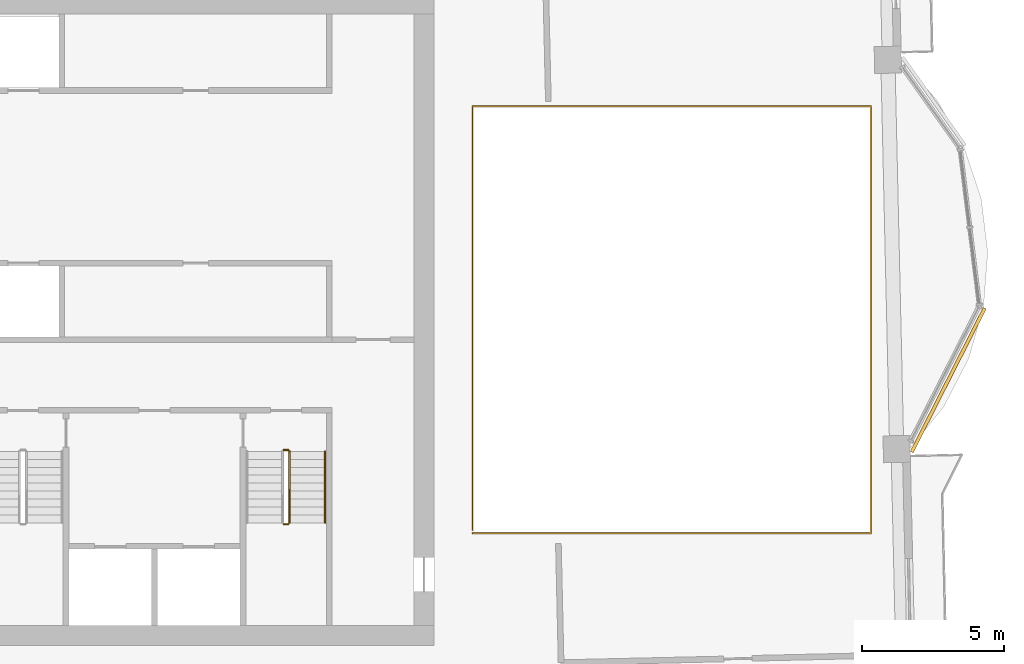
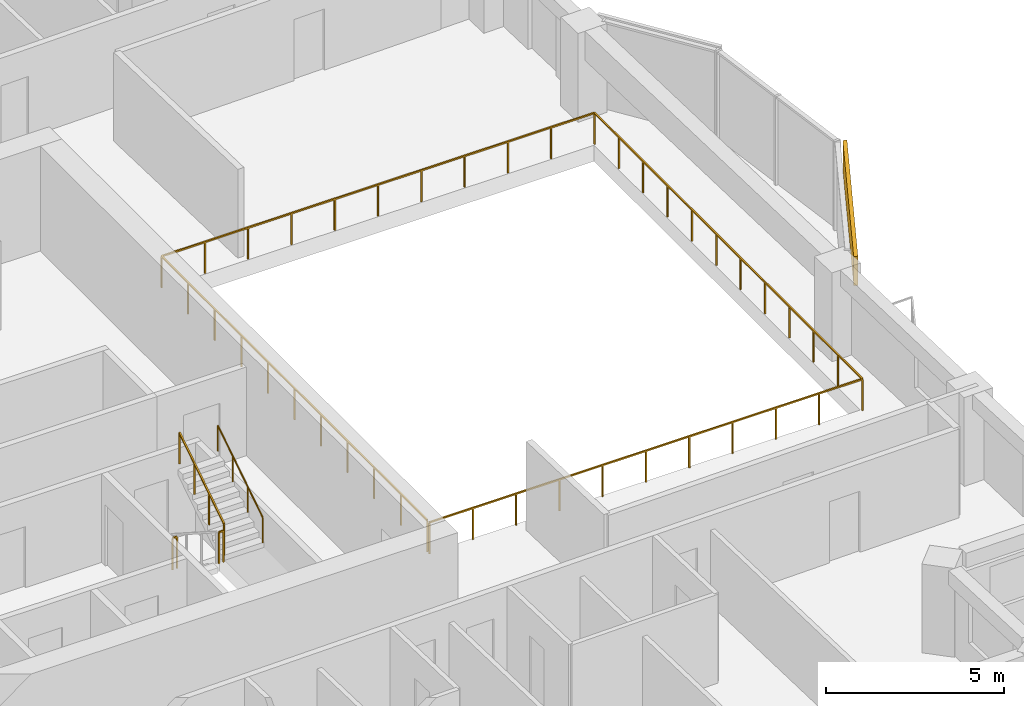
# One storey, part 19 of 20: 5 railings, 1 covering.
"""IFC4 building model written with IfcOpenShell, lengths in metres."""

from ifc_helpers import new_model, si_unit, direction, frame, frame_2d, origin, origin_2d, place, context, subcontext, project, spatial, rectangle, circle, extrude, material, layer, layer_set, type_object, element, save


model = new_model("IFC4")

# Units and contexts
model_context = context("Model", 3, precision=1e-05, world=origin(), true_north=direction((0.0, 1.0)))
body_context = subcontext(model_context, "Body", "Model", "MODEL_VIEW")
ifc_project = project(units=[si_unit("LENGTHUNIT", "METRE"), si_unit("AREAUNIT", "SQUARE_METRE"), si_unit("VOLUMEUNIT", "CUBIC_METRE"), si_unit("PLANEANGLEUNIT", "RADIAN"), si_unit("MASSUNIT", "GRAM", prefix="KILO")], contexts=[model_context])

# Site, building, storey
site_placement = place(None, origin())
site = spatial("IfcSite", under=ifc_project, at=site_placement, CompositionType="ELEMENT")
building_placement = place(site_placement, origin())
building = spatial("IfcBuilding", under=site, at=building_placement, Name="Mangrove Gate Tower", CompositionType="ELEMENT")
storey_placement = place(building_placement, frame((0.0, 0.0, 279.89990234375)))
storey = spatial("IfcBuildingStorey", under=building, at=storey_placement, Name="L71", CompositionType="ELEMENT", Elevation=279.89990234375)

# Railings
ifc_material_1 = material(Name="Stainless steel grade 316 with laminated glass infill", Category="steel")
railing_type_1 = type_object("IfcRailingType", Name="Balcony guard 1100", PredefinedType="GUARDRAIL", material=ifc_material_1)
railing_1_placement = place(storey_placement, frame((15.860107421875, -7.5400390625, 0.0)))
element("IfcRailing", 1, at=railing_1_placement, inside=storey, type_object=railing_type_1, Name="GUARD L71 atrium", PredefinedType="GUARDRAIL", context=body_context, shape_type="SweptSolid", body=[
    extrude(rectangle(XDim=0.048095703125, YDim=0.048095703125, at=origin_2d()), frame((0.0, 0.0, 1.076171875), z_axis=(1.0, 0.0, 0.0), x_axis=(0.0, 1.0, 0.0)), (0.0, 0.0, 1.0), 14.06982421875),
    extrude(rectangle(XDim=0.048095703125, YDim=0.048095703125, at=origin_2d()), frame((14.06982421875, 0.0, 1.076171875), z_axis=(0.0, 1.0, 0.0), x_axis=(-1.0, 0.0, 0.0)), (0.0, 0.0, 1.0), 15.080078125),
    extrude(rectangle(XDim=0.048095703125, YDim=0.048095703125, at=origin_2d()), frame((14.06982421875, 15.080078125, 1.076171875), z_axis=(-1.0, 0.0, 0.0), x_axis=(0.0, -1.0, 0.0)), (0.0, 0.0, 1.0), 14.06982421875),
    extrude(rectangle(XDim=0.048095703125, YDim=0.048095703125, at=origin_2d()), frame((0.0, 15.080078125, 1.076171875), z_axis=(0.0, -1.0, 0.0), x_axis=(1.0, 0.0, 0.0)), (0.0, 0.0, 1.0), 14.9599609375),
    extrude(rectangle(XDim=0.0419921875, YDim=0.0419921875, at=origin_2d()), origin(), (0.0, 0.0, 1.0), 1.052001953125),
    extrude(rectangle(XDim=0.0419921875, YDim=0.0419921875, at=origin_2d()), frame((1.406982421875, 0.0, 0.0)), (0.0, 0.0, 1.0), 1.052001953125),
    extrude(rectangle(XDim=0.0419921875, YDim=0.0419921875, at=origin_2d()), frame((2.81396484375, 0.0, 0.0)), (0.0, 0.0, 1.0), 1.052001953125),
    extrude(rectangle(XDim=0.0419921875, YDim=0.0419921875, at=origin_2d()), frame((4.220947265625, 0.0, 0.0)), (0.0, 0.0, 1.0), 1.052001953125),
    extrude(rectangle(XDim=0.0419921875, YDim=0.0419921875, at=origin_2d()), frame((5.6279296875, 0.0, 0.0)), (0.0, 0.0, 1.0), 1.052001953125),
    extrude(rectangle(XDim=0.0419921875, YDim=0.0419921875, at=origin_2d()), frame((7.034912109375, 0.0, 0.0)), (0.0, 0.0, 1.0), 1.052001953125),
    extrude(rectangle(XDim=0.0419921875, YDim=0.0419921875, at=origin_2d()), frame((8.44189453125, 0.0, 0.0)), (0.0, 0.0, 1.0), 1.052001953125),
    extrude(rectangle(XDim=0.0419921875, YDim=0.0419921875, at=origin_2d()), frame((9.848876953125, 0.0, 0.0)), (0.0, 0.0, 1.0), 1.052001953125),
    extrude(rectangle(XDim=0.0419921875, YDim=0.0419921875, at=origin_2d()), frame((11.255859375, 0.0, 0.0)), (0.0, 0.0, 1.0), 1.052001953125),
    extrude(rectangle(XDim=0.0419921875, YDim=0.0419921875, at=origin_2d()), frame((12.662841796875, 0.0, 0.0)), (0.0, 0.0, 1.0), 1.052001953125),
    extrude(rectangle(XDim=0.0419921875, YDim=0.0419921875, at=origin_2d()), frame((14.06982421875, 0.0, 0.0)), (0.0, 0.0, 1.0), 1.052001953125),
    extrude(rectangle(XDim=0.0419921875, YDim=0.0419921875, at=origin_2d()), frame((14.06982421875, 1.370849609375, 0.0)), (0.0, 0.0, 1.0), 1.052001953125),
    extrude(rectangle(XDim=0.0419921875, YDim=0.0419921875, at=origin_2d()), frame((14.06982421875, 2.741943359375, 0.0)), (0.0, 0.0, 1.0), 1.052001953125),
    extrude(rectangle(XDim=0.0419921875, YDim=0.0419921875, at=origin_2d()), frame((14.06982421875, 4.11279296875, 0.0)), (0.0, 0.0, 1.0), 1.052001953125),
    extrude(rectangle(XDim=0.0419921875, YDim=0.0419921875, at=origin_2d()), frame((14.06982421875, 5.483642578125, 0.0)), (0.0, 0.0, 1.0), 1.052001953125),
    extrude(rectangle(XDim=0.0419921875, YDim=0.0419921875, at=origin_2d()), frame((14.06982421875, 6.8544921875, 0.0)), (0.0, 0.0, 1.0), 1.052001953125),
    extrude(rectangle(XDim=0.0419921875, YDim=0.0419921875, at=origin_2d()), frame((14.06982421875, 8.2255859375, 0.0)), (0.0, 0.0, 1.0), 1.052001953125),
    extrude(rectangle(XDim=0.0419921875, YDim=0.0419921875, at=origin_2d()), frame((14.06982421875, 9.596435546875, 0.0)), (0.0, 0.0, 1.0), 1.052001953125),
    extrude(rectangle(XDim=0.0419921875, YDim=0.0419921875, at=origin_2d()), frame((14.06982421875, 10.96728515625, 0.0)), (0.0, 0.0, 1.0), 1.052001953125),
    extrude(rectangle(XDim=0.0419921875, YDim=0.0419921875, at=origin_2d()), frame((14.06982421875, 12.338134765625, 0.0)), (0.0, 0.0, 1.0), 1.052001953125),
    extrude(rectangle(XDim=0.0419921875, YDim=0.0419921875, at=origin_2d()), frame((14.06982421875, 13.709228515625, 0.0)), (0.0, 0.0, 1.0), 1.052001953125),
    extrude(rectangle(XDim=0.0419921875, YDim=0.0419921875, at=origin_2d()), frame((14.06982421875, 15.080078125, 0.0)), (0.0, 0.0, 1.0), 1.052001953125),
    extrude(rectangle(XDim=0.0419921875, YDim=0.0419921875, at=origin_2d()), frame((12.662841796875, 15.080078125, 0.0)), (0.0, 0.0, 1.0), 1.052001953125),
    extrude(rectangle(XDim=0.0419921875, YDim=0.0419921875, at=origin_2d()), frame((11.255859375, 15.080078125, 0.0)), (0.0, 0.0, 1.0), 1.052001953125),
    extrude(rectangle(XDim=0.0419921875, YDim=0.0419921875, at=origin_2d()), frame((9.848876953125, 15.080078125, 0.0)), (0.0, 0.0, 1.0), 1.052001953125),
    extrude(rectangle(XDim=0.0419921875, YDim=0.0419921875, at=origin_2d()), frame((8.44189453125, 15.080078125, 0.0)), (0.0, 0.0, 1.0), 1.052001953125),
    extrude(rectangle(XDim=0.0419921875, YDim=0.0419921875, at=origin_2d()), frame((7.034912109375, 15.080078125, 0.0)), (0.0, 0.0, 1.0), 1.052001953125),
    extrude(rectangle(XDim=0.0419921875, YDim=0.0419921875, at=origin_2d()), frame((5.6279296875, 15.080078125, 0.0)), (0.0, 0.0, 1.0), 1.052001953125),
    extrude(rectangle(XDim=0.0419921875, YDim=0.0419921875, at=origin_2d()), frame((4.220947265625, 15.080078125, 0.0)), (0.0, 0.0, 1.0), 1.052001953125),
    extrude(rectangle(XDim=0.0419921875, YDim=0.0419921875, at=origin_2d()), frame((2.81396484375, 15.080078125, 0.0)), (0.0, 0.0, 1.0), 1.052001953125),
    extrude(rectangle(XDim=0.0419921875, YDim=0.0419921875, at=origin_2d()), frame((1.406982421875, 15.080078125, 0.0)), (0.0, 0.0, 1.0), 1.052001953125),
    extrude(rectangle(XDim=0.0419921875, YDim=0.0419921875, at=origin_2d()), frame((0.0, 15.080078125, 0.0)), (0.0, 0.0, 1.0), 1.052001953125),
    extrude(rectangle(XDim=0.0419921875, YDim=0.0419921875, at=origin_2d()), frame((0.0, 13.583984375, 0.0)), (0.0, 0.0, 1.0), 1.052001953125),
    extrude(rectangle(XDim=0.0419921875, YDim=0.0419921875, at=origin_2d()), frame((0.0, 12.088134765625, 0.0)), (0.0, 0.0, 1.0), 1.052001953125),
    extrude(rectangle(XDim=0.0419921875, YDim=0.0419921875, at=origin_2d()), frame((0.0, 10.592041015625, 0.0)), (0.0, 0.0, 1.0), 1.052001953125),
    extrude(rectangle(XDim=0.0419921875, YDim=0.0419921875, at=origin_2d()), frame((0.0, 9.09619140625, 0.0)), (0.0, 0.0, 1.0), 1.052001953125),
    extrude(rectangle(XDim=0.0419921875, YDim=0.0419921875, at=origin_2d()), frame((0.0, 7.60009765625, 0.0)), (0.0, 0.0, 1.0), 1.052001953125),
    extrude(rectangle(XDim=0.0419921875, YDim=0.0419921875, at=origin_2d()), frame((0.0, 6.10400390625, 0.0)), (0.0, 0.0, 1.0), 1.052001953125),
    extrude(rectangle(XDim=0.0419921875, YDim=0.0419921875, at=origin_2d()), frame((0.0, 4.608154296875, 0.0)), (0.0, 0.0, 1.0), 1.052001953125),
    extrude(rectangle(XDim=0.0419921875, YDim=0.0419921875, at=origin_2d()), frame((0.0, 3.112060546875, 0.0)), (0.0, 0.0, 1.0), 1.052001953125),
    extrude(rectangle(XDim=0.0419921875, YDim=0.0419921875, at=origin_2d()), frame((0.0, 1.6162109375, 0.0)), (0.0, 0.0, 1.0), 1.052001953125),
    extrude(rectangle(XDim=0.0419921875, YDim=0.0419921875, at=origin_2d()), frame((0.0, 0.1201171875, 0.0)), (0.0, 0.0, 1.0), 1.052001953125),
])
ifc_material_2 = material(Name="Stainless steel 316", Category="steel")
railing_type_2 = type_object("IfcRailingType", Name="Core stair guard 1100", PredefinedType="GUARDRAIL", material=ifc_material_2)
railing_2_placement = place(storey_placement, frame((9.199951171875, -7.219970703125, 1.800048828125)))
element("IfcRailing", 2, at=railing_2_placement, inside=storey, type_object=railing_type_2, Name="L71 ST3 stair guard 2", PredefinedType="GUARDRAIL", context=body_context, shape_type="SweptSolid", body=[
    extrude(rectangle(XDim=0.048095703125, YDim=0.048095703125, at=origin_2d()), frame((0.0, 0.0, 1.076171875), z_axis=(1.0, 0.0, 0.0), x_axis=(0.0, 1.0, 0.0)), (0.0, 0.0, 1.0), 0.150146484375),
    extrude(rectangle(XDim=0.0419921875, YDim=0.0419921875, at=origin_2d()), origin(), (0.0, 0.0, 1.0), 1.052001953125),
    extrude(rectangle(XDim=0.0419921875, YDim=0.0419921875, at=origin_2d()), frame((0.150146484375, 0.0, 0.0)), (0.0, 0.0, 1.0), 1.052001953125),
])
railing_3_placement = place(storey_placement, frame((9.39990234375, -7.169921875, 1.97998046875)))
element("IfcRailing", 3, at=railing_3_placement, inside=storey, type_object=railing_type_2, Name="L71 ST3 stair guard 3", PredefinedType="GUARDRAIL", context=body_context, shape_type="SweptSolid", body=[
    extrude(rectangle(XDim=0.048095703125, YDim=0.048095703125, at=origin_2d()), frame((0.0, 0.0, 1.076171875), z_axis=(0.0, 0.841162588446, 0.540782303519), x_axis=(-1.0, 0.0, 0.0)), (0.0, 0.0, 1.0), 2.995849609375),
    extrude(rectangle(XDim=0.0419921875, YDim=0.0419921875, at=origin_2d()), origin(), (0.0, 0.0, 1.0), 1.052001953125),
    extrude(rectangle(XDim=0.0419921875, YDim=0.0419921875, at=origin_2d()), frame((0.0, 0.840087890625, 0.5400390625)), (0.0, 0.0, 1.0), 1.052001953125),
    extrude(rectangle(XDim=0.0419921875, YDim=0.0419921875, at=origin_2d()), frame((0.0, 1.679931640625, 1.080078125)), (0.0, 0.0, 1.0), 1.052001953125),
    extrude(rectangle(XDim=0.0419921875, YDim=0.0419921875, at=origin_2d()), frame((0.0, 2.52001953125, 1.6201171875)), (0.0, 0.0, 1.0), 1.052001953125),
])
railing_4_placement = place(storey_placement, frame((9.199951171875, -4.60009765625, 0.0)))
element("IfcRailing", 4, at=railing_4_placement, inside=storey, type_object=railing_type_2, Name="L71 ST3 stair guard 4", PredefinedType="GUARDRAIL", context=body_context, shape_type="SweptSolid", body=[
    extrude(rectangle(XDim=0.048095703125, YDim=0.048095703125, at=origin_2d()), frame((0.0, 0.0, 1.076171875), z_axis=(1.0, 0.0, 0.0), x_axis=(0.0, 1.0, 0.0)), (0.0, 0.0, 1.0), 0.150146484375),
    extrude(rectangle(XDim=0.0419921875, YDim=0.0419921875, at=origin_2d()), origin(), (0.0, 0.0, 1.0), 1.052001953125),
    extrude(rectangle(XDim=0.0419921875, YDim=0.0419921875, at=origin_2d()), frame((0.150146484375, 0.0, 0.0)), (0.0, 0.0, 1.0), 1.052001953125),
])
ifc_material_3 = material(Name="Stainless steel 316", Category="steel")
railing_type_3 = type_object("IfcRailingType", Name="Core stair handrail 900", PredefinedType="HANDRAIL", material=ifc_material_3)
railing_5_placement = place(storey_placement, frame((10.64990234375, -7.169921875, 1.97998046875)))
element("IfcRailing", 5, at=railing_5_placement, inside=storey, type_object=railing_type_3, Name="L71 ST3 stair handrail 2", PredefinedType="HANDRAIL", context=body_context, shape_type="SweptSolid", body=[
    extrude(circle(Radius=0.02392578125, at=origin_2d()), frame((0.0, 0.0, 0.8759765625), z_axis=(0.0, 0.841162588446, 0.540782303519), x_axis=(-1.0, 0.0, 0.0)), (0.0, 0.0, 1.0), 2.995849609375),
    extrude(circle(Radius=0.02099609375, at=origin_2d()), origin(), (0.0, 0.0, 1.0), 0.851806640625),
    extrude(circle(Radius=0.02099609375, at=origin_2d()), frame((0.0, 0.840087890625, 0.5400390625)), (0.0, 0.0, 1.0), 0.851806640625),
    extrude(circle(Radius=0.02099609375, at=origin_2d()), frame((0.0, 1.679931640625, 1.080078125)), (0.0, 0.0, 1.0), 0.851806640625),
    extrude(circle(Radius=0.02099609375, at=origin_2d()), frame((0.0, 2.52001953125, 1.6201171875)), (0.0, 0.0, 1.0), 0.851806640625),
])

# Covering
ifc_material_4 = material(Name="Limestone", Category="masonry")
ifc_layer_1 = layer(ifc_material_4, 0.0400390625, Name="Limestone cladding")
ifc_material_5 = material(Name="Stainless steel anchors and cavity", Category="steel")
ifc_layer_2 = layer(ifc_material_5, 0.080078125, Name="Fixing cavity")
ifc_layer_set = layer_set([ifc_layer_1, ifc_layer_2], Name="Joint fascia cladding 120")
covering_type = type_object("IfcCoveringType", Name="Joint fascia cladding 120", PredefinedType="CLADDING", material=ifc_layer_set)
covering_placement = place(storey_placement, frame((31.36962890625, -4.674560546875, 2.050048828125), z_axis=(0.0, 0.0, 1.0), x_axis=(0.452616431896, 0.891705313194, 0.0)))
element("IfcCovering", 6, at=covering_placement, inside=storey, type_object=covering_type, Name="STONE FASCIA L71 E1.L1", PredefinedType="CLADDING", context=body_context, shape_type="SweptSolid", body=[
    extrude(rectangle(XDim=5.703125, YDim=0.1201171875, at=frame_2d((2.8515625, 0.0))), origin(), (0.0, 0.0, 1.0), 1.0),
])

save(model, "model.ifc")
